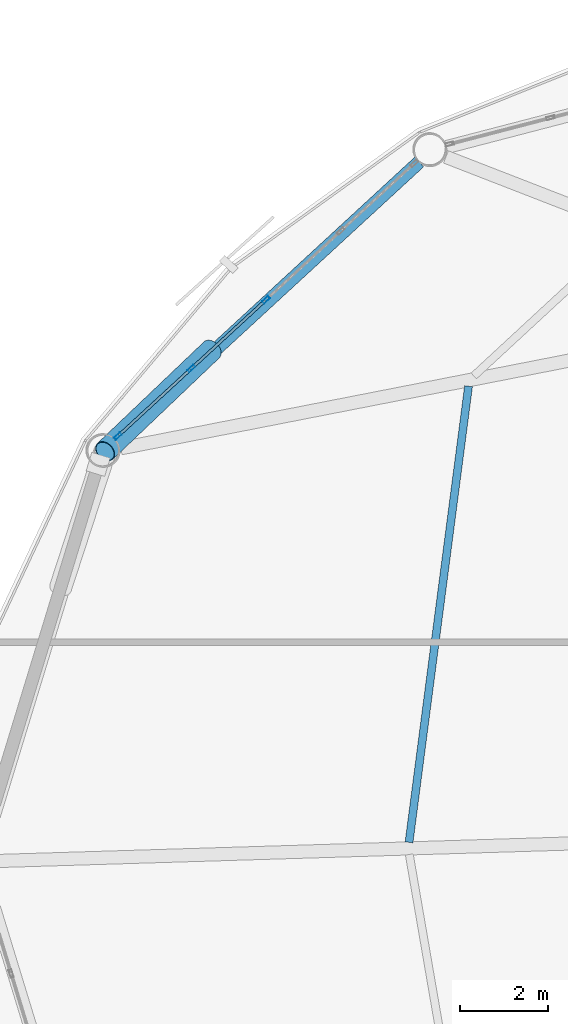
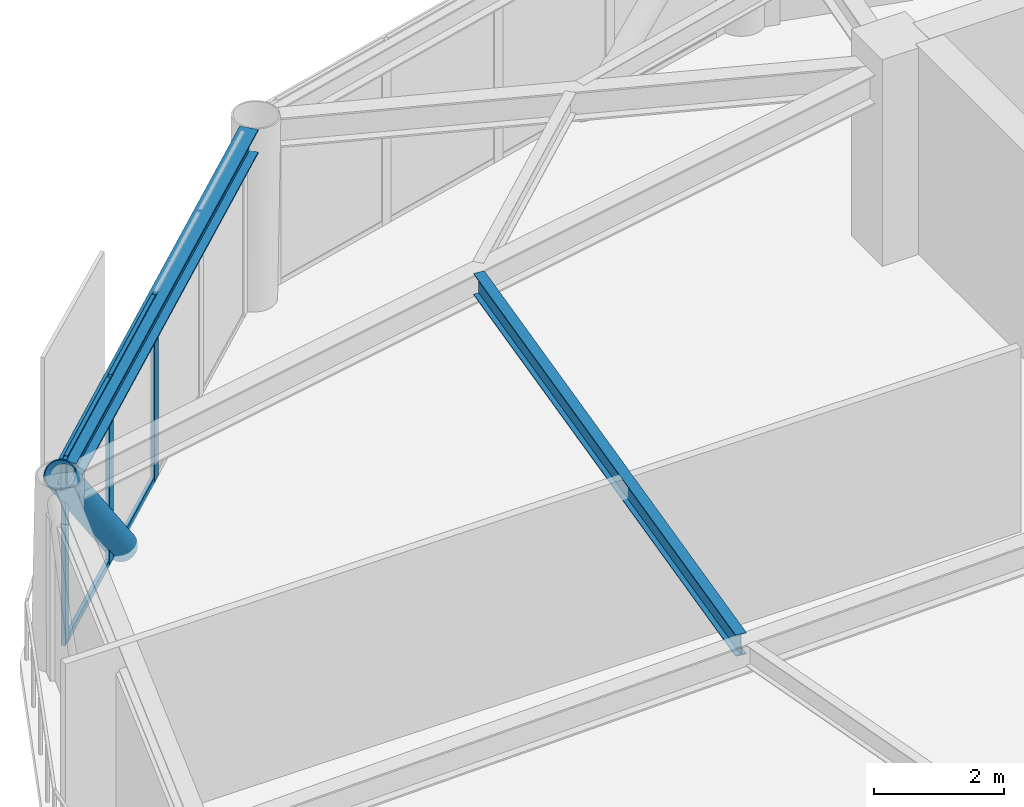
# One storey, part 12 of 26: 8 members, 2 beams, 1 element without a shape of its own.
"""IFC4 building model written with IfcOpenShell, lengths in metres."""

from ifc_helpers import new_model, si_unit, direction, frame, origin, origin_2d, place, context, subcontext, project, spatial, hollow_rectangle, hollow_circle, i_section, extrude, material, layer, layer_set, material_profile, profile_set, type_object, element, aggregate, save


model = new_model("IFC4")

# Units and contexts
model_context = context("Model", 3, precision=1e-05, world=origin(), true_north=direction((0.0, 1.0)))
body_context = subcontext(model_context, "Body", "Model", "MODEL_VIEW")
ifc_project = project(units=[si_unit("LENGTHUNIT", "METRE"), si_unit("AREAUNIT", "SQUARE_METRE"), si_unit("VOLUMEUNIT", "CUBIC_METRE"), si_unit("PLANEANGLEUNIT", "RADIAN"), si_unit("MASSUNIT", "GRAM", prefix="KILO")], contexts=[model_context])

# Site, building, storey
site_placement = place(None, origin())
site = spatial("IfcSite", under=ifc_project, at=site_placement, CompositionType="ELEMENT")
building_placement = place(site_placement, origin())
building = spatial("IfcBuilding", under=site, at=building_placement, Name="Varnakorn Sky Granary", CompositionType="ELEMENT")
storey_placement = place(building_placement, frame((0.0, 0.0, 165.60009765625)))
storey = spatial("IfcBuildingStorey", under=building, at=storey_placement, Name="L41", CompositionType="ELEMENT", Elevation=165.60009765625)

# Beams
ifc_material_1 = material(Name="Steel S355JR", Category="steel")
ifc_material_profile_1 = material_profile(ifc_material_1, i_section(OverallWidth=0.179931640625, OverallDepth=0.39990234375, WebThickness=0.008544921875, FlangeThickness=0.013427734375, at=origin_2d()), Name="IPE 400")
ifc_profile_set_1 = profile_set([ifc_material_profile_1], Name="Steel S355JR")
beam_type_1 = type_object("IfcBeamType", Name="BM-SEC-Z3", PredefinedType="BEAM", material=ifc_profile_set_1)
beam_1_placement = place(storey_placement, frame((-10.80126953125, 10.8447265625, 3.25), z_axis=(-0.129364046611, -0.991597167929, 0.0), x_axis=(0.991597167929, -0.129364046611, 0.0)))
element("IfcBeam", 1, at=beam_1_placement, inside=storey, type_object=beam_type_1, Name="Secondary Floor Chord Beam MSB06 L41", PredefinedType="BEAM", context=body_context, shape_type="SweptSolid", body=[
    extrude(i_section(OverallWidth=0.179931640625, OverallDepth=0.39990234375, WebThickness=0.008544921875, FlangeThickness=0.013427734375, at=origin_2d()), origin(), (0.0, 0.0, 1.0), 10.494873046875),
])
ifc_material_profile_2 = material_profile(ifc_material_1, i_section(OverallWidth=0.300048828125, OverallDepth=0.449951171875, WebThickness=0.013916015625, FlangeThickness=0.02587890625, at=origin_2d()), Name="HE 450 B")
ifc_profile_set_2 = profile_set([ifc_material_profile_2], Name="Steel S355JR")
beam_type_2 = type_object("IfcBeamType", Name="BM-SPD-Z3", PredefinedType="SPANDREL", material=ifc_profile_set_2)
beam_2_placement = place(storey_placement, frame((-11.9267578125, 15.959716796875, 3.224853515625), z_axis=(-0.735474776919, -0.677552103174, 0.0), x_axis=(0.677552103174, -0.735474776919, 0.0)))
element("IfcBeam", 2, at=beam_2_placement, inside=storey, type_object=beam_type_2, Name="Perimeter Spandrel Ring Beam RB05 L41", PredefinedType="SPANDREL", context=body_context, shape_type="SweptSolid", body=[
    extrude(i_section(OverallWidth=0.300048828125, OverallDepth=0.449951171875, WebThickness=0.013916015625, FlangeThickness=0.02587890625, at=origin_2d()), origin(), (0.0, 0.0, 1.0), 9.378173828125),
])

# Curtain wall, members
ifc_material_2 = material(Name="Anodised Bronze Aluminium Alloy 6063-T6", Category="aluminium")
ifc_layer = layer(ifc_material_2, 0.179931640625, Name="Anodised Bronze Aluminium Alloy 6063-T6")
ifc_layer_set = layer_set([ifc_layer], Name="Anodised Bronze Aluminium Alloy 6063-T6")
curtain_wall_type = type_object("IfcCurtainWallType", Name="CW-FRM-2", PredefinedType="USERDEFINED", material=ifc_layer_set)
curtain_wall_placement = place(storey_placement, origin())
curtain_wall = element("IfcCurtainWall", 3, at=curtain_wall_placement, inside=storey, type_object=curtain_wall_type, Name="Unitised Curtain Wall CW4 CW-L41-B05", ObjectType="CURTAIN WALL", PredefinedType="USERDEFINED")
ifc_material_profile_3 = material_profile(ifc_material_2, hollow_rectangle(XDim=0.070068359375, YDim=0.18505859375, WallThickness=0.00390625, at=origin_2d()), Name="ALU MULL 70x185")
ifc_profile_set_3 = profile_set([ifc_material_profile_3], Name="Anodised Bronze Aluminium Alloy 6063-T6")
member_type_1 = type_object("IfcMemberType", Name="CW-FRM-2-MULL", PredefinedType="MULLION", material=ifc_profile_set_3)
member_1_placement = place(storey_placement, frame((-18.801025390625, 9.703857421875, 0.0), z_axis=(0.0, 0.0, 1.0), x_axis=(-0.677284882962, 0.735720862359, 0.0)))
member_1 = element("IfcMember", 4, at=member_1_placement, type_object=member_type_1, Name="CW4 mullion 1", PredefinedType="MULLION", context=body_context, shape_type="SweptSolid", body=[
    extrude(hollow_rectangle(XDim=0.070068359375, YDim=0.18505859375, WallThickness=0.00390625, at=origin_2d()), origin(), (0.0, 0.0, 1.0), 3.449951171875),
])
member_2_placement = place(storey_placement, frame((-17.1240234375, 11.247802734375, 0.0), z_axis=(0.0, 0.0, 1.0), x_axis=(-0.677284882962, 0.735720862359, 0.0)))
member_2 = element("IfcMember", 5, at=member_2_placement, type_object=member_type_1, Name="CW4 mullion 2", PredefinedType="MULLION", context=body_context, shape_type="SweptSolid", body=[
    extrude(hollow_rectangle(XDim=0.070068359375, YDim=0.18505859375, WallThickness=0.00390625, at=origin_2d()), origin(), (0.0, 0.0, 1.0), 3.449951171875),
])
member_3_placement = place(storey_placement, frame((-15.421142578125, 12.8154296875, 0.0), z_axis=(0.0, 0.0, 1.0), x_axis=(-0.677284882962, 0.735720862359, 0.0)))
member_3 = element("IfcMember", 6, at=member_3_placement, type_object=member_type_1, Name="CW4 mullion 3", PredefinedType="MULLION", context=body_context, shape_type="SweptSolid", body=[
    extrude(hollow_rectangle(XDim=0.070068359375, YDim=0.18505859375, WallThickness=0.00390625, at=origin_2d()), origin(), (0.0, 0.0, 1.0), 3.449951171875),
])
ifc_material_profile_4 = material_profile(ifc_material_2, hollow_rectangle(XDim=0.06494140625, YDim=0.1201171875, WallThickness=0.00341796875, at=origin_2d()), Name="ALU TRAN 65x120")
ifc_profile_set_4 = profile_set([ifc_material_profile_4], Name="Anodised Bronze Aluminium Alloy 6063-T6")
member_type_2 = type_object("IfcMemberType", Name="CW-FRM-2-TRAN", PredefinedType="USERDEFINED", material=ifc_profile_set_4)
member_4_placement = place(storey_placement, frame((-18.775390625, 9.7275390625, 0.032470703125), z_axis=(0.73572618648, 0.677279099432, 0.0), x_axis=(-0.677279099432, 0.73572618648, 0.0)))
member_4 = element("IfcMember", 7, at=member_4_placement, type_object=member_type_2, Name="CW4 transom 1.1", ObjectType="TRANSOM", PredefinedType="USERDEFINED", context=body_context, shape_type="SweptSolid", body=[
    extrude(hollow_rectangle(XDim=0.06494140625, YDim=0.1201171875, WallThickness=0.00341796875, at=origin_2d()), origin(), (0.0, 0.0, 1.0), 2.209716796875),
])
member_5_placement = place(storey_placement, frame((-18.775390625, 9.7275390625, 3.41748046875), z_axis=(0.73572618648, 0.677279099432, 0.0), x_axis=(-0.677279099432, 0.73572618648, 0.0)))
member_5 = element("IfcMember", 8, at=member_5_placement, type_object=member_type_2, Name="CW4 transom 1.2", ObjectType="TRANSOM", PredefinedType="USERDEFINED", context=body_context, shape_type="SweptSolid", body=[
    extrude(hollow_rectangle(XDim=0.06494140625, YDim=0.1201171875, WallThickness=0.00341796875, at=origin_2d()), origin(), (0.0, 0.0, 1.0), 2.209716796875),
])
member_6_placement = place(storey_placement, frame((-17.09814453125, 11.271484375, 0.032470703125), z_axis=(0.735657784369, 0.677353396904, 0.0), x_axis=(-0.677353396904, 0.735657784369, 0.0)))
member_6 = element("IfcMember", 9, at=member_6_placement, type_object=member_type_2, Name="CW4 transom 2.1", ObjectType="TRANSOM", PredefinedType="USERDEFINED", context=body_context, shape_type="SweptSolid", body=[
    extrude(hollow_rectangle(XDim=0.06494140625, YDim=0.1201171875, WallThickness=0.00341796875, at=origin_2d()), origin(), (0.0, 0.0, 1.0), 2.244384765625),
])
member_7_placement = place(storey_placement, frame((-17.09814453125, 11.271484375, 3.41748046875), z_axis=(0.735657784369, 0.677353396904, 0.0), x_axis=(-0.677353396904, 0.735657784369, 0.0)))
member_7 = element("IfcMember", 10, at=member_7_placement, type_object=member_type_2, Name="CW4 transom 2.2", ObjectType="TRANSOM", PredefinedType="USERDEFINED", context=body_context, shape_type="SweptSolid", body=[
    extrude(hollow_rectangle(XDim=0.06494140625, YDim=0.1201171875, WallThickness=0.00341796875, at=origin_2d()), origin(), (0.0, 0.0, 1.0), 2.244384765625),
])
aggregate(curtain_wall, [member_1, member_2, member_3, member_4, member_5, member_6, member_7])

# Member
ifc_material_3 = material(Name="Steel S460M", Category="steel")
ifc_material_profile_5 = material_profile(ifc_material_3, hollow_circle(Radius=0.25390625, WallThickness=0.01806640625, at=origin_2d()), Name="CHS 508x18")
ifc_profile_set_5 = profile_set([ifc_material_profile_5], Name="Steel S460M")
member_type_3 = type_object("IfcMemberType", Name="MB-DIAG-T2", PredefinedType="BRACE", material=ifc_profile_set_5)
member_8_placement = place(storey_placement, frame((-16.66455078125, 11.670654296875, -0.130126953125), z_axis=(-0.49507169156, -0.471532396213, 0.729767921696), x_axis=(0.689682435607, -0.72411196511, 0.0)))
element("IfcMember", 11, at=member_8_placement, inside=storey, type_object=member_type_3, Name="Perimeter CHS Diagrid Brace DG05 L41", PredefinedType="BRACE", context=body_context, shape_type="SweptSolid", body=[
    extrude(hollow_circle(Radius=0.25390625, WallThickness=0.01806640625, at=origin_2d()), origin(), (0.0, 0.0, 1.0), 4.90576171875),
])

save(model, "model.ifc")
